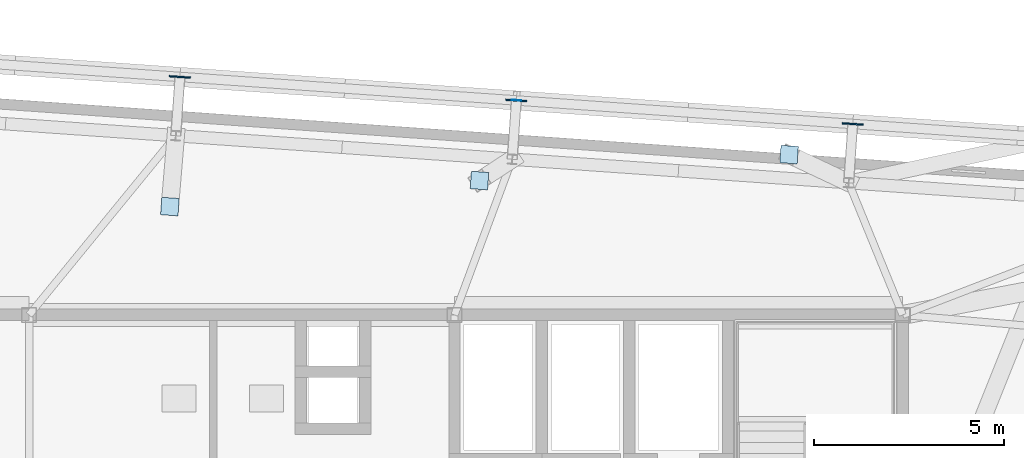
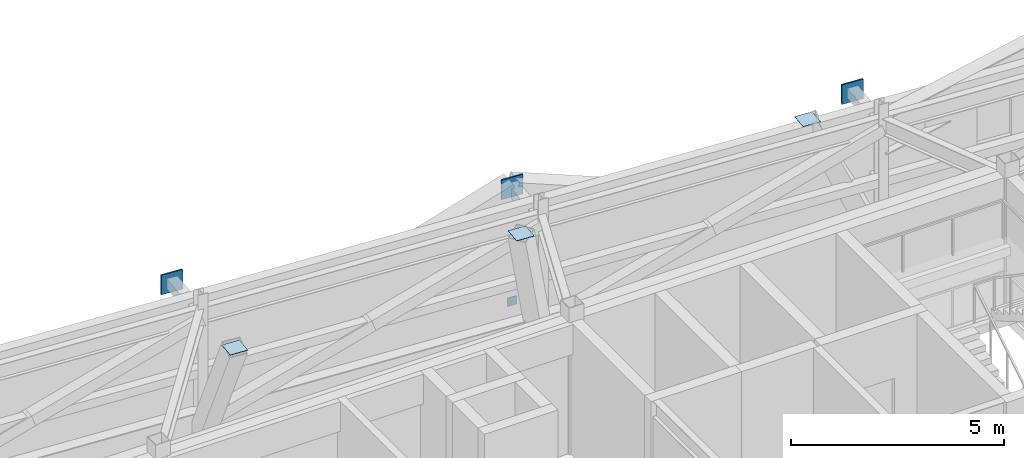
# One storey, part 19 of 24: 7 plates.
"""IFC4 building model written with IfcOpenShell, lengths in metres."""

from ifc_helpers import new_model, si_unit, direction, frame, origin, origin_2d, place, context, subcontext, project, spatial, rectangle, extrude, source, transform, mapped, material, layer, layer_set, type_object, element, save


model = new_model("IFC4")

# Units and contexts
model_context = context("Model", 3, precision=1e-05, world=origin(), true_north=direction((0.0, 1.0)))
body_context = subcontext(model_context, "Body", "Model", "MODEL_VIEW")
ifc_project = project(units=[si_unit("LENGTHUNIT", "METRE"), si_unit("AREAUNIT", "SQUARE_METRE"), si_unit("VOLUMEUNIT", "CUBIC_METRE"), si_unit("PLANEANGLEUNIT", "RADIAN"), si_unit("MASSUNIT", "GRAM", prefix="KILO")], contexts=[model_context])

# Site, building, storey
site_placement = place(None, origin())
site = spatial("IfcSite", under=ifc_project, at=site_placement, CompositionType="ELEMENT")
building_placement = place(site_placement, origin())
building = spatial("IfcBuilding", under=site, at=building_placement, Name="Taldren Reach Tower", CompositionType="ELEMENT")
storey_placement = place(building_placement, frame((0.0, 0.0, 164.5)))
storey = spatial("IfcBuildingStorey", under=building, at=storey_placement, Name="L50", CompositionType="ELEMENT", Elevation=164.5)

# Plates
ifc_material_1 = material(Name="Steel Gr 450 (C450L0)", Category="steel")
ifc_layer_1 = layer(ifc_material_1, 0.0400390625)
ifc_layer_set_1 = layer_set([ifc_layer_1], Name="Steel Gr 450 (C450L0)")
plate_type_1 = type_object("IfcPlateType", Name="PL-GUSSET-40", PredefinedType="SHEET", material=ifc_layer_set_1)
shared_shape_1 = source(origin(), body_context, "Body", "SweptSolid", [
    extrude(rectangle(XDim=0.56005859375, YDim=0.0400390625, at=origin_2d()), origin(), (0.0, 0.0, 1.0), 0.56005859375),
])
for number, where, z_axis, x_axis, name in (
    (1, (31.969482421875, 38.26611328125, 3.219970703125), (0.0, 0.0, 1.0), (0.99756405026, -0.069756473744, 0.0), "Exoskeleton star-node gusset plate B3-N3 L50"),
    (2, (40.827880859375, 37.646728515625, 3.219970703125), (0.0, 0.0, 1.0), (0.99756405026, -0.069756473744, 0.0), "Exoskeleton star-node gusset plate B3-N4 L50"),
    (3, (49.686279296875, 37.02734375, 3.219970703125), (0.0, 0.0, 1.0), (0.99756405026, -0.069756473744, 0.0), "Exoskeleton star-node gusset plate B3-N5 L50"),
):
    element("IfcPlate", number, at=place(storey_placement, frame(where, z_axis=z_axis, x_axis=x_axis)), inside=storey, type_object=plate_type_1, Name=name, PredefinedType="SHEET", context=body_context, shape_type="MappedRepresentation", body=[
        mapped(shared_shape_1, transform((0.0, 0.0, 0.0), scale=1.0)),
    ])
ifc_material_2 = material(Name="Steel Gr 350 (C350L0)", Category="steel")
ifc_layer_2 = layer(ifc_material_2, 0.011962890625)
ifc_layer_set_2 = layer_set([ifc_layer_2], Name="Steel Gr 350 (C350L0)")
plate_type_2 = type_object("IfcPlateType", Name="PL-CAP-250", PredefinedType="SHEET", material=ifc_layer_set_2)
shared_shape_2 = source(origin(), body_context, "Body", "SweptSolid", [
    extrude(rectangle(XDim=0.25, YDim=0.011962890625, at=origin_2d()), origin(), (0.0, 0.0, 1.0), 0.25),
])
plate_placement = place(storey_placement, frame((40.828125, 37.652587890625, 0.094970703125), z_axis=(0.0, 0.0, 1.0), x_axis=(0.99756405026, -0.069756473744, 0.0)))
element("IfcPlate", 4, at=plate_placement, inside=storey, type_object=plate_type_2, Name="Tie strut end cap plate B3-N4 L50", PredefinedType="SHEET", context=body_context, shape_type="MappedRepresentation", body=[
    mapped(shared_shape_2, transform((0.0, 0.0, 0.0), scale=1.0)),
])
ifc_layer_3 = layer(ifc_material_1, 0.011962890625)
ifc_layer_set_3 = layer_set([ifc_layer_3], Name="Steel Gr 450 (C450L0)")
plate_type_3 = type_object("IfcPlateType", Name="PL-CAP-460", PredefinedType="SHEET", material=ifc_layer_set_3)
shared_shape_3 = source(origin(), body_context, "Body", "SweptSolid", [
    extrude(rectangle(XDim=0.4599609375, YDim=0.4599609375, at=origin_2d()), origin(), (0.0, 0.0, 1.0), 0.011962890625),
])
for number, where, z_axis, x_axis, name in (
    (5, (31.706298828125, 34.8525390625, 3.76806640625), (0.0, 0.0, 1.0), (0.99756405026, -0.069756473744, 0.0), "Transfer strut end cap plate TS-B4-N3 L50"),
    (6, (39.857666015625, 35.537109375, 3.76806640625), (0.0, 0.0, 1.0), (0.99756405026, -0.069756473744, 0.0), "Transfer strut end cap plate TS-B4-N4 L50"),
    (7, (48.009033203125, 36.221435546875, 3.76806640625), (0.0, 0.0, 1.0), (0.99756405026, -0.069756473744, 0.0), "Transfer strut end cap plate TS-B4-N5 L50"),
):
    element("IfcPlate", number, at=place(storey_placement, frame(where, z_axis=z_axis, x_axis=x_axis)), inside=storey, type_object=plate_type_3, Name=name, PredefinedType="SHEET", context=body_context, shape_type="MappedRepresentation", body=[
        mapped(shared_shape_3, transform((0.0, 0.0, 0.0), scale=1.0)),
    ])

save(model, "model.ifc")
